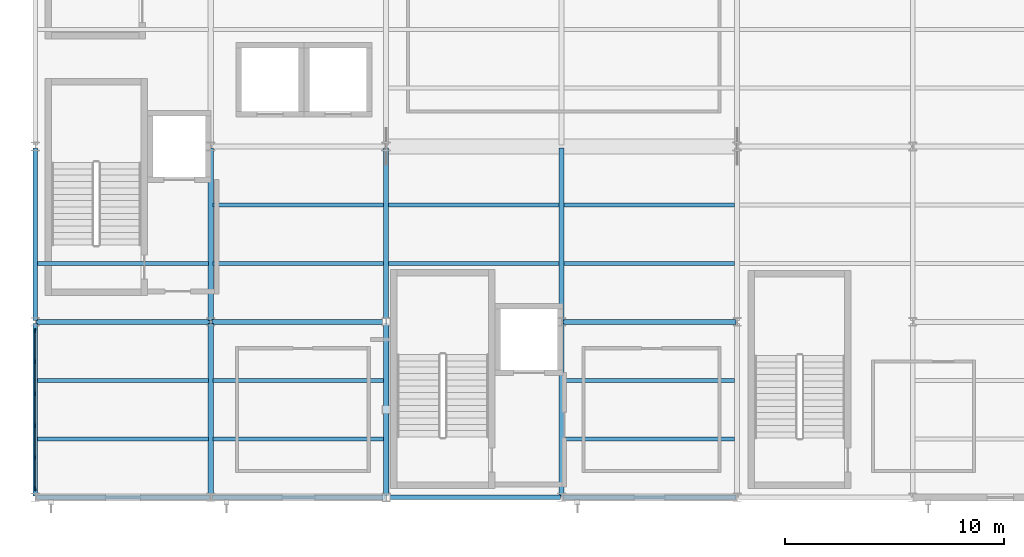
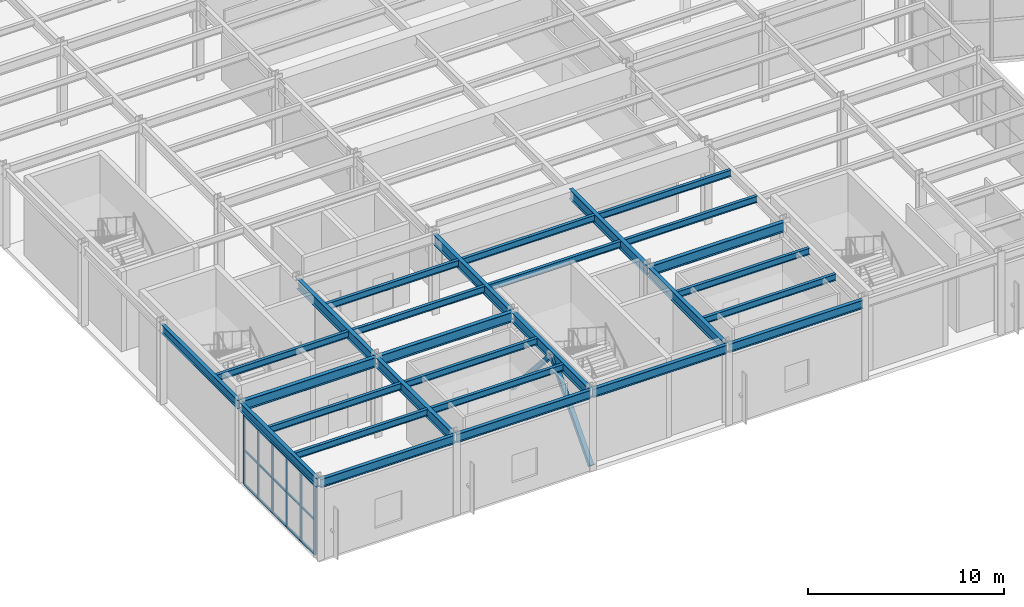
# One storey, part 20 of 77: 28 beams, 11 members, 1 element without a shape of its own.
"""IFC4 building model written with IfcOpenShell, lengths in metres."""

from ifc_helpers import new_model, si_unit, direction, frame, origin, origin_2d, place, context, subcontext, project, spatial, rectangle, hollow_rectangle, i_section, extrude, material, material_profile, profile_set, type_object, element, aggregate, save


model = new_model("IFC4")

# Units and contexts
model_context = context("Model", 3, precision=1e-05, world=origin(), true_north=direction((0.0, 1.0)))
body_context = subcontext(model_context, "Body", "Model", "MODEL_VIEW")
ifc_project = project(units=[si_unit("LENGTHUNIT", "METRE"), si_unit("AREAUNIT", "SQUARE_METRE"), si_unit("VOLUMEUNIT", "CUBIC_METRE"), si_unit("PLANEANGLEUNIT", "RADIAN"), si_unit("MASSUNIT", "GRAM", prefix="KILO")], contexts=[model_context])

# Site, building, storey
site_placement = place(None, origin())
site = spatial("IfcSite", under=ifc_project, at=site_placement, CompositionType="ELEMENT")
building_placement = place(site_placement, origin())
building = spatial("IfcBuilding", under=site, at=building_placement, Name="Drelvath Fold Interchange", CompositionType="ELEMENT")
storey_placement = place(building_placement, frame((0.0, 0.0, 6.0)))
storey = spatial("IfcBuildingStorey", under=building, at=storey_placement, Name="L01", CompositionType="ELEMENT", Elevation=6.0)

# Beams
ifc_material_1 = material(Name="Steel ASTM A992 Grade 50", Category="steel")
ifc_material_profile_1 = material_profile(ifc_material_1, i_section(OverallWidth=0.177978515625, OverallDepth=0.403076171875, WebThickness=0.007568359375, FlangeThickness=0.010986328125, at=origin_2d()), Name="W16X36")
ifc_profile_set_1 = profile_set([ifc_material_profile_1], Name="Steel ASTM A992 Grade 50")
beam_type_1 = type_object("IfcBeamType", Name="BM-W16X36", PredefinedType="JOIST", material=ifc_profile_set_1)
for number, where, z_axis, x_axis, name in (
    (1, (4.10302734375, 5.6669921875, 4.748046875), (1.0, 0.0, 0.0), (0.0, 1.0, 0.0), "L01 Secondary floor joist BM-W16X36"),
    (2, (4.10302734375, 8.3330078125, 4.748046875), (1.0, 0.0, 0.0), (0.0, 1.0, 0.0), "L01 Secondary floor joist BM-W16X36"),
    (3, (4.10302734375, 13.6669921875, 4.748046875), (1.0, 0.0, 0.0), (0.0, 1.0, 0.0), "L01 Secondary floor joist BM-W16X36"),
):
    element("IfcBeam", number, at=place(storey_placement, frame(where, z_axis=z_axis, x_axis=x_axis)), inside=storey, type_object=beam_type_1, Name=name, PredefinedType="JOIST", context=body_context, shape_type="SweptSolid", body=[
        extrude(i_section(OverallWidth=0.177978515625, OverallDepth=0.403076171875, WebThickness=0.007568359375, FlangeThickness=0.010986328125, at=origin_2d()), origin(), (0.0, 0.0, 1.0), 7.783935546875),
    ])
for number, where, z_axis, x_axis, name in (
    (4, (12.113037109375, 5.6669921875, 4.748046875), (1.0, 0.0, 0.0), (0.0, 1.0, 0.0), "L01 Secondary floor joist BM-W16X36"),
    (5, (12.113037109375, 8.3330078125, 4.748046875), (1.0, 0.0, 0.0), (0.0, 1.0, 0.0), "L01 Secondary floor joist BM-W16X36"),
    (6, (12.113037109375, 13.6669921875, 4.748046875), (1.0, 0.0, 0.0), (0.0, 1.0, 0.0), "L01 Secondary floor joist BM-W16X36"),
    (7, (12.113037109375, 16.3330078125, 4.748046875), (1.0, 0.0, 0.0), (0.0, 1.0, 0.0), "L01 Secondary floor joist BM-W16X36"),
    (8, (20.113037109375, 13.6669921875, 4.748046875), (1.0, 0.0, 0.0), (0.0, 1.0, 0.0), "L01 Secondary floor joist BM-W16X36"),
    (9, (20.113037109375, 16.3330078125, 4.748046875), (1.0, 0.0, 0.0), (0.0, 1.0, 0.0), "L01 Secondary floor joist BM-W16X36"),
    (10, (28.113037109375, 5.6669921875, 4.748046875), (1.0, 0.0, 0.0), (0.0, 1.0, 0.0), "L01 Secondary floor joist BM-W16X36"),
    (11, (28.113037109375, 8.3330078125, 4.748046875), (1.0, 0.0, 0.0), (0.0, 1.0, 0.0), "L01 Secondary floor joist BM-W16X36"),
    (12, (28.113037109375, 13.6669921875, 4.748046875), (1.0, 0.0, 0.0), (0.0, 1.0, 0.0), "L01 Secondary floor joist BM-W16X36"),
    (13, (28.113037109375, 16.3330078125, 4.748046875), (1.0, 0.0, 0.0), (0.0, 1.0, 0.0), "L01 Secondary floor joist BM-W16X36"),
):
    element("IfcBeam", number, at=place(storey_placement, frame(where, z_axis=z_axis, x_axis=x_axis)), inside=storey, type_object=beam_type_1, Name=name, PredefinedType="JOIST", context=body_context, shape_type="SweptSolid", body=[
        extrude(i_section(OverallWidth=0.177978515625, OverallDepth=0.403076171875, WebThickness=0.007568359375, FlangeThickness=0.010986328125, at=origin_2d()), origin(), (0.0, 0.0, 1.0), 7.77392578125),
    ])
ifc_material_profile_2 = material_profile(ifc_material_1, i_section(OverallWidth=0.2099609375, OverallDepth=0.537109375, WebThickness=0.010986328125, FlangeThickness=0.017333984375, at=origin_2d()), Name="W21X68")
ifc_profile_set_2 = profile_set([ifc_material_profile_2], Name="Steel ASTM A992 Grade 50")
beam_type_2 = type_object("IfcBeamType", Name="BM-W21X68", PredefinedType="SPANDREL", material=ifc_profile_set_2)
for number, where, z_axis, x_axis, name in (
    (14, (4.06005859375, 3.0, 4.680908203125), (1.0, 0.0, 0.0), (0.0, 1.0, 0.0), "L01 Primary X girder BM-W21X68"),
    (15, (12.06005859375, 3.0, 4.680908203125), (1.0, 0.0, 0.0), (0.0, 1.0, 0.0), "L01 Primary X girder BM-W21X68"),
    (16, (20.06005859375, 3.0, 4.680908203125), (1.0, 0.0, 0.0), (0.0, 1.0, 0.0), "L01 Primary X girder BM-W21X68"),
    (17, (28.06005859375, 3.0, 4.680908203125), (1.0, 0.0, 0.0), (0.0, 1.0, 0.0), "L01 Primary X girder BM-W21X68"),
    (18, (4.0, 3.06005859375, 4.680908203125), (0.0, 1.0, 0.0), (-1.0, 0.0, 0.0), "L01 Primary Y girder BM-W21X68"),
    (19, (4.0, 11.06005859375, 4.680908203125), (0.0, 1.0, 0.0), (-1.0, 0.0, 0.0), "L01 Primary Y girder BM-W21X68"),
):
    element("IfcBeam", number, at=place(storey_placement, frame(where, z_axis=z_axis, x_axis=x_axis)), inside=storey, type_object=beam_type_2, Name=name, PredefinedType="SPANDREL", context=body_context, shape_type="SweptSolid", body=[
        extrude(i_section(OverallWidth=0.2099609375, OverallDepth=0.537109375, WebThickness=0.010986328125, FlangeThickness=0.017333984375, at=origin_2d()), origin(), (0.0, 0.0, 1.0), 7.8798828125),
    ])
ifc_material_profile_3 = material_profile(ifc_material_1, i_section(OverallWidth=0.22998046875, OverallDepth=0.616943359375, WebThickness=0.01318359375, FlangeThickness=0.022216796875, at=origin_2d()), Name="W24X94")
ifc_profile_set_3 = profile_set([ifc_material_profile_3], Name="Steel ASTM A992 Grade 50")
beam_type_3 = type_object("IfcBeamType", Name="BM-W24X94", PredefinedType="BEAM", material=ifc_profile_set_3)
for number, where, z_axis, x_axis, name in (
    (20, (4.06005859375, 11.0, 4.64111328125), (1.0, 0.0, 0.0), (0.0, 1.0, 0.0), "L01 Primary X girder BM-W24X94"),
    (21, (12.06005859375, 11.0, 4.64111328125), (1.0, 0.0, 0.0), (0.0, 1.0, 0.0), "L01 Primary X girder BM-W24X94"),
    (22, (28.06005859375, 11.0, 4.64111328125), (1.0, 0.0, 0.0), (0.0, 1.0, 0.0), "L01 Primary X girder BM-W24X94"),
    (23, (12.0, 3.06005859375, 4.64111328125), (0.0, 1.0, 0.0), (-1.0, 0.0, 0.0), "L01 Primary Y girder BM-W24X94"),
    (24, (12.0, 11.06005859375, 4.64111328125), (0.0, 1.0, 0.0), (-1.0, 0.0, 0.0), "L01 Primary Y girder BM-W24X94"),
    (25, (20.0, 3.06005859375, 4.64111328125), (0.0, 1.0, 0.0), (-1.0, 0.0, 0.0), "L01 Primary Y girder BM-W24X94"),
    (26, (20.0, 11.06005859375, 4.64111328125), (0.0, 1.0, 0.0), (-1.0, 0.0, 0.0), "L01 Primary Y girder BM-W24X94"),
    (27, (28.0, 3.06005859375, 4.64111328125), (0.0, 1.0, 0.0), (-1.0, 0.0, 0.0), "L01 Primary Y girder BM-W24X94"),
    (28, (28.0, 11.06005859375, 4.64111328125), (0.0, 1.0, 0.0), (-1.0, 0.0, 0.0), "L01 Primary Y girder BM-W24X94"),
):
    element("IfcBeam", number, at=place(storey_placement, frame(where, z_axis=z_axis, x_axis=x_axis)), inside=storey, type_object=beam_type_3, Name=name, PredefinedType="BEAM", context=body_context, shape_type="SweptSolid", body=[
        extrude(i_section(OverallWidth=0.22998046875, OverallDepth=0.616943359375, WebThickness=0.01318359375, FlangeThickness=0.022216796875, at=origin_2d()), origin(), (0.0, 0.0, 1.0), 7.8798828125),
    ])

# Members
ifc_material_2 = material(Name="Steel ASTM A500 Grade C", Category="steel")
ifc_material_profile_4 = material_profile(ifc_material_2, hollow_rectangle(XDim=0.25390625, YDim=0.25390625, WallThickness=0.01171875, at=origin_2d()), Name="HSS10X10X1/2")
ifc_profile_set_4 = profile_set([ifc_material_profile_4], Name="Steel ASTM A500 Grade C")
member_type_1 = type_object("IfcMemberType", Name="BR-CBF254", PredefinedType="BRACE", material=ifc_profile_set_4)
for number, where, z_axis, x_axis, name in (
    (29, (20.0, 3.0, 0.159912109375), (0.0, 0.665916417048, 0.746026357112), (-1.0, 0.0, 0.0), "L01 Concentrically braced frame diagonal BR-CBF254"),
    (30, (20.0, 11.0, 0.159912109375), (0.0, -0.665916417048, 0.746026357112), (1.0, 0.0, 0.0), "L01 Concentrically braced frame diagonal BR-CBF254"),
):
    element("IfcMember", number, at=place(storey_placement, frame(where, z_axis=z_axis, x_axis=x_axis)), inside=storey, type_object=member_type_1, Name=name, PredefinedType="BRACE", context=body_context, shape_type="SweptSolid", body=[
        extrude(hollow_rectangle(XDim=0.25390625, YDim=0.25390625, WallThickness=0.01171875, at=origin_2d()), origin(), (0.0, 0.0, 1.0), 6.0068359375),
    ])

# Curtain wall, members
ifc_material_3 = material(Name="Anodized Aluminium 6063-T6", Category="aluminium")
curtain_wall_type = type_object("IfcCurtainWallType", Name="CW-OPS-UPP", PredefinedType="USERDEFINED", material=ifc_material_3)
curtain_wall_placement = place(storey_placement, origin())
curtain_wall = element("IfcCurtainWall", 31, at=curtain_wall_placement, inside=storey, type_object=curtain_wall_type, Name="Curtain wall CW-V5-L01-W3", ObjectType="UNITISED CURTAIN WALL", PredefinedType="USERDEFINED")
ifc_material_profile_5 = material_profile(ifc_material_3, rectangle(XDim=0.06005859375, YDim=0.175048828125, at=origin_2d()), Name="AL-M 60x175")
ifc_profile_set_5 = profile_set([ifc_material_profile_5], Name="Anodized Aluminium 6063-T6")
member_type_2 = type_object("IfcMemberType", Name="ML-175", PredefinedType="MULLION", material=ifc_profile_set_5)
member_1_placement = place(storey_placement, frame((4.0, 3.39990234375, 0.0), z_axis=(0.0, 0.0, 1.0), x_axis=(1.0, 0.0, 0.0)))
member_1 = element("IfcMember", 32, at=member_1_placement, type_object=member_type_2, Name="CW-V5-L01-W3 mullion 0", PredefinedType="MULLION", context=body_context, shape_type="SweptSolid", body=[
    extrude(rectangle(XDim=0.06005859375, YDim=0.175048828125, at=origin_2d()), origin(), (0.0, 0.0, 1.0), 4.300048828125),
])
member_2_placement = place(storey_placement, frame((4.0, 4.81591796875, 0.0), z_axis=(0.0, 0.0, 1.0), x_axis=(1.0, 0.0, 0.0)))
member_2 = element("IfcMember", 33, at=member_2_placement, type_object=member_type_2, Name="CW-V5-L01-W3 mullion 1", PredefinedType="MULLION", context=body_context, shape_type="SweptSolid", body=[
    extrude(rectangle(XDim=0.06005859375, YDim=0.175048828125, at=origin_2d()), origin(), (0.0, 0.0, 1.0), 4.300048828125),
])
member_3_placement = place(storey_placement, frame((4.0, 6.27197265625, 0.0), z_axis=(0.0, 0.0, 1.0), x_axis=(1.0, 0.0, 0.0)))
member_3 = element("IfcMember", 34, at=member_3_placement, type_object=member_type_2, Name="CW-V5-L01-W3 mullion 2", PredefinedType="MULLION", context=body_context, shape_type="SweptSolid", body=[
    extrude(rectangle(XDim=0.06005859375, YDim=0.175048828125, at=origin_2d()), origin(), (0.0, 0.0, 1.0), 4.300048828125),
])
member_4_placement = place(storey_placement, frame((4.0, 7.72802734375, 0.0), z_axis=(0.0, 0.0, 1.0), x_axis=(1.0, 0.0, 0.0)))
member_4 = element("IfcMember", 35, at=member_4_placement, type_object=member_type_2, Name="CW-V5-L01-W3 mullion 3", PredefinedType="MULLION", context=body_context, shape_type="SweptSolid", body=[
    extrude(rectangle(XDim=0.06005859375, YDim=0.175048828125, at=origin_2d()), origin(), (0.0, 0.0, 1.0), 4.300048828125),
])
member_5_placement = place(storey_placement, frame((4.0, 9.18408203125, 0.0), z_axis=(0.0, 0.0, 1.0), x_axis=(1.0, 0.0, 0.0)))
member_5 = element("IfcMember", 36, at=member_5_placement, type_object=member_type_2, Name="CW-V5-L01-W3 mullion 4", PredefinedType="MULLION", context=body_context, shape_type="SweptSolid", body=[
    extrude(rectangle(XDim=0.06005859375, YDim=0.175048828125, at=origin_2d()), origin(), (0.0, 0.0, 1.0), 4.300048828125),
])
member_6_placement = place(storey_placement, frame((4.0, 10.60009765625, 0.0), z_axis=(0.0, 0.0, 1.0), x_axis=(1.0, 0.0, 0.0)))
member_6 = element("IfcMember", 37, at=member_6_placement, type_object=member_type_2, Name="CW-V5-L01-W3 mullion 5", PredefinedType="MULLION", context=body_context, shape_type="SweptSolid", body=[
    extrude(rectangle(XDim=0.06005859375, YDim=0.175048828125, at=origin_2d()), origin(), (0.0, 0.0, 1.0), 4.300048828125),
])
ifc_material_profile_6 = material_profile(ifc_material_3, rectangle(XDim=0.06005859375, YDim=0.139892578125, at=origin_2d()), Name="AL-T 60x140")
ifc_profile_set_6 = profile_set([ifc_material_profile_6], Name="Anodized Aluminium 6063-T6")
member_type_3 = type_object("IfcMemberType", Name="TR-140", PredefinedType="USERDEFINED", material=ifc_profile_set_6)
member_7_placement = place(storey_placement, frame((4.0, 3.39990234375, 0.030029296875), z_axis=(0.0, 1.0, 0.0), x_axis=(-1.0, 0.0, 0.0)))
member_7 = element("IfcMember", 38, at=member_7_placement, type_object=member_type_3, Name="CW-V5-L01-W3 transom 0", ObjectType="TRANSOM", PredefinedType="USERDEFINED", context=body_context, shape_type="SweptSolid", body=[
    extrude(rectangle(XDim=0.06005859375, YDim=0.139892578125, at=origin_2d()), origin(), (0.0, 0.0, 1.0), 7.2001953125),
])
member_8_placement = place(storey_placement, frame((4.0, 3.39990234375, 2.14990234375), z_axis=(0.0, 1.0, 0.0), x_axis=(-1.0, 0.0, 0.0)))
member_8 = element("IfcMember", 39, at=member_8_placement, type_object=member_type_3, Name="CW-V5-L01-W3 transom 1", ObjectType="TRANSOM", PredefinedType="USERDEFINED", context=body_context, shape_type="SweptSolid", body=[
    extrude(rectangle(XDim=0.06005859375, YDim=0.139892578125, at=origin_2d()), origin(), (0.0, 0.0, 1.0), 7.2001953125),
])
member_9_placement = place(storey_placement, frame((4.0, 3.39990234375, 4.27001953125), z_axis=(0.0, 1.0, 0.0), x_axis=(-1.0, 0.0, 0.0)))
member_9 = element("IfcMember", 40, at=member_9_placement, type_object=member_type_3, Name="CW-V5-L01-W3 transom 2", ObjectType="TRANSOM", PredefinedType="USERDEFINED", context=body_context, shape_type="SweptSolid", body=[
    extrude(rectangle(XDim=0.06005859375, YDim=0.139892578125, at=origin_2d()), origin(), (0.0, 0.0, 1.0), 7.2001953125),
])
aggregate(curtain_wall, [member_1, member_2, member_3, member_4, member_5, member_6, member_7, member_8, member_9])

save(model, "model.ifc")
